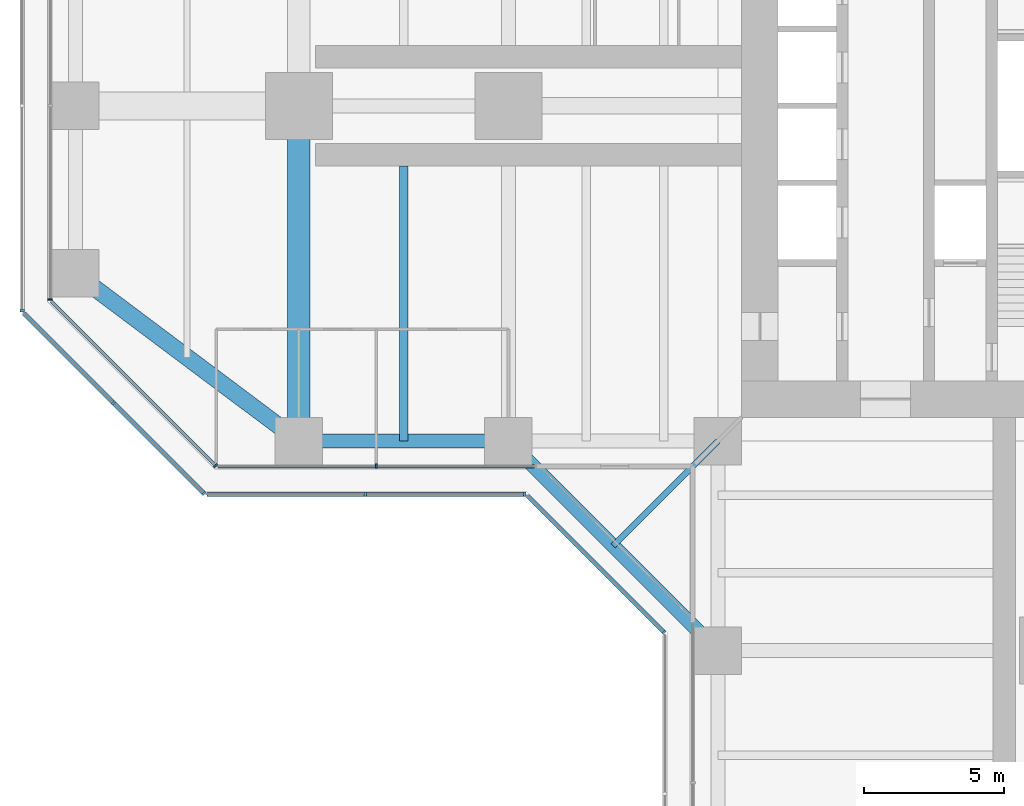
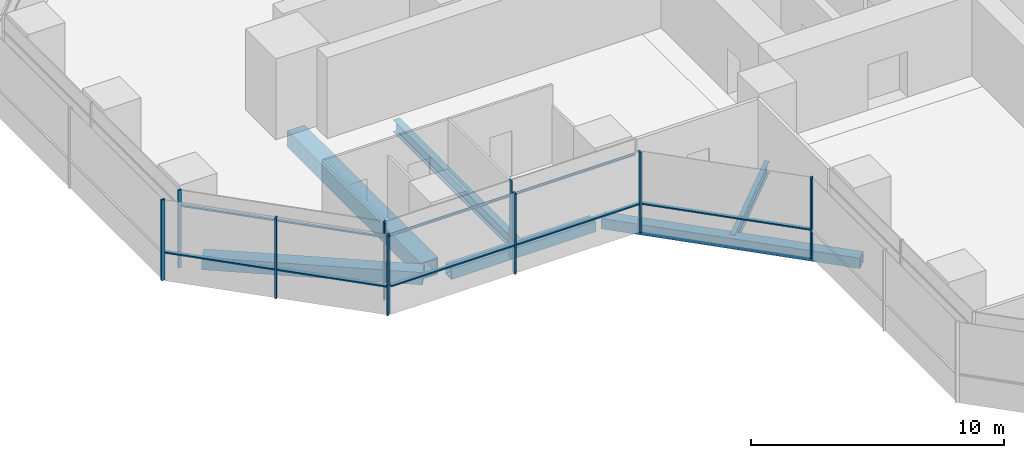
# One storey, part 3 of 22: 17 members, 6 beams, 7 elements without a shape of their own.
"""IFC4 building model written with IfcOpenShell, lengths in metres."""

import ifcopenshell
import ifcopenshell.guid

model = None  # the IFC model being written
_history = None  # IfcOwnerHistory: only IFC2X3 demands one
_inside = {}  # id of a spatial element -> (the spatial element, [elements in it])
_under = {}  # id of a project, library or spatial element -> (it, [spatial elements below it])
_declared = {}  # id of a project -> (the project, [libraries it declares])
_typed = {}  # id of a type object -> (the type object, [elements of that type])
_made_of = {}  # id of a material, layer set ... -> (it, [elements and type objects made of it])


def new_model(schema):
    """Start an empty IFC model of exactly this schema.

    Asked for "IFC4X3", IfcOpenShell would pick the latest addendum, in which some entities
    have other attributes; the version numbers below select the first issue.
    IFC2X3 requires an IfcOwnerHistory on every rooted entity: one is made here for all.
    """
    global model, _history
    if schema == "IFC4X3":
        model = ifcopenshell.file(schema_version=(4, 3, 0, 0))
    else:
        model = ifcopenshell.file(schema=schema)
    _inside.clear()
    _under.clear()
    _declared.clear()
    _typed.clear()
    _made_of.clear()
    _history = None
    if model.schema == "IFC2X3":
        org = make("IfcOrganization", Name="unknown")
        user = make(
            "IfcPersonAndOrganization",
            ThePerson=make("IfcPerson", FamilyName="unknown"),
            TheOrganization=org,
        )
        app = make(
            "IfcApplication",
            ApplicationDeveloper=org,
            Version="unknown",
            ApplicationFullName="unknown",
            ApplicationIdentifier="unknown",
        )
        _history = make(
            "IfcOwnerHistory",
            OwningUser=user,
            OwningApplication=app,
            ChangeAction="ADDED",
            CreationDate=0,
        )
    return model


def make(cls, **values):
    """One entity of the class cls with the attributes given. An attribute that is None is left unset."""
    return model.create_entity(
        cls, **{name: value for name, value in values.items() if value is not None}
    )


def rooted(cls, **values):
    """An entity with a GlobalId (a new one), such as an element, a storey or a relation."""
    return make(cls, GlobalId=ifcopenshell.guid.new(), OwnerHistory=_history, **values)


def si_unit(unit_type, name, prefix=None):
    """IfcSIUnit, for example si_unit("LENGTHUNIT", "METRE", prefix="MILLI")."""
    return make("IfcSIUnit", UnitType=unit_type, Prefix=prefix, Name=name)


def assignment(units):
    """IfcUnitAssignment: the units of a project."""
    return None if units is None else make("IfcUnitAssignment", Units=units)


def point(xyz):
    """IfcCartesianPoint."""
    return None if xyz is None else make("IfcCartesianPoint", Coordinates=xyz)


def direction(xyz):
    """IfcDirection."""
    return None if xyz is None else make("IfcDirection", DirectionRatios=xyz)


def frame(location, z_axis=None, x_axis=None):
    """IfcAxis2Placement3D, a coordinate frame: its origin and axes. An axis left out is left unset."""
    return make(
        "IfcAxis2Placement3D",
        Location=point(location),
        Axis=direction(z_axis),
        RefDirection=direction(x_axis),
    )


def frame_2d(location, x_axis=None):
    """IfcAxis2Placement2D, a coordinate frame in the plane: its origin and x axis."""
    return make(
        "IfcAxis2Placement2D", Location=point(location), RefDirection=direction(x_axis)
    )


def origin():
    """The frame at (0, 0, 0) with its axes left unset."""
    return frame((0.0, 0.0, 0.0))


def origin_2d():
    """The frame at (0, 0) in the plane with its x axis left unset."""
    return frame_2d((0.0, 0.0))


def place(relative_to, where):
    """IfcLocalPlacement: puts the frame where relative to a parent placement (None: the world)."""
    return make(
        "IfcLocalPlacement", PlacementRelTo=relative_to, RelativePlacement=where
    )


def context(
    kind, dimensions, precision=None, world=None, true_north=None, identifier=None
):
    """IfcGeometricRepresentationContext, for example the 3D "Model" context."""
    return make(
        "IfcGeometricRepresentationContext",
        ContextIdentifier=identifier,
        ContextType=kind,
        CoordinateSpaceDimension=dimensions,
        Precision=precision,
        WorldCoordinateSystem=world,
        TrueNorth=true_north,
    )


def subcontext(parent, identifier, kind, view, scale=None):
    """IfcGeometricRepresentationSubContext, for example "Body" below "Model"."""
    return make(
        "IfcGeometricRepresentationSubContext",
        ContextIdentifier=identifier,
        ContextType=kind,
        ParentContext=parent,
        TargetScale=scale,
        TargetView=view,
    )


def project(units=None, contexts=None):
    """IfcProject with its units and contexts."""
    return rooted(
        "IfcProject",
        Name="project",
        RepresentationContexts=contexts,
        UnitsInContext=assignment(units),
    )


def spatial(cls, under=None, at=None, **own):
    """A site, building, storey or space (cls), placed at a placement, below another one or the project."""
    s = rooted(cls, ObjectPlacement=at, **own)
    if under is not None:
        _under.setdefault(under.id(), (under, []))[1].append(s)
    return s


def profile(cls, at=None, kind="AREA", **sizes):
    """A parametric profile (cls). Its sizes go by their IFC names, for example OverallWidth=200.0."""
    return make(cls, ProfileType=kind, Position=at, **sizes)


def rectangle(**sizes):
    """IfcRectangleProfileDef."""
    return profile("IfcRectangleProfileDef", **sizes)


def hollow_rectangle(**sizes):
    """IfcRectangleHollowProfileDef."""
    return profile("IfcRectangleHollowProfileDef", **sizes)


def i_section(**sizes):
    """IfcIShapeProfileDef."""
    return profile("IfcIShapeProfileDef", **sizes)


def extrude(swept, where, along, depth):
    """IfcExtrudedAreaSolid: the profile swept, set in the frame where, extruded along a direction by depth."""
    return make(
        "IfcExtrudedAreaSolid",
        SweptArea=swept,
        Position=where,
        ExtrudedDirection=direction(along),
        Depth=depth,
    )


def shape(context_of_items, identifier, shape_type, items):
    """IfcShapeRepresentation: the items that make up one representation, for example the "Body"."""
    return make(
        "IfcShapeRepresentation",
        ContextOfItems=context_of_items,
        RepresentationIdentifier=identifier,
        RepresentationType=shape_type,
        Items=items,
    )


def material(Name=None, Category=None):
    """IfcMaterial."""
    return make("IfcMaterial", Name=Name, Category=Category)


def material_profile(
    of_material, cross_section, Name=None, Category=None, Priority=None
):
    """IfcMaterialProfile: a cross section and its material."""
    return make(
        "IfcMaterialProfile",
        Name=Name,
        Material=of_material,
        Profile=cross_section,
        Priority=Priority,
        Category=Category,
    )


def profile_set(profiles, Name=None, composite=None):
    """IfcMaterialProfileSet."""
    return make(
        "IfcMaterialProfileSet",
        Name=Name,
        MaterialProfiles=profiles,
        CompositeProfile=composite,
    )


def made_of(thing, what):
    """Note that an element or type object is made of a material, layer set ...; save() writes the relation."""
    if what is not None:
        _made_of.setdefault(what.id(), (what, []))[1].append(thing)
    return thing


def type_object(cls, material=None, **own):
    """A type object (cls), such as IfcWallType, which elements share."""
    return made_of(rooted(cls, **own), material)


def element(
    cls,
    number,
    at=None,
    inside=None,
    cuts=None,
    type_object=None,
    material=None,
    context=None,
    identifier="Body",
    shape_type=None,
    held_by="IfcProductDefinitionShape",
    body=None,
    shapes=None,
    **own,
):
    """One element of the class cls, such as IfcWall. Its Tag is "e" and its number.

    at: its placement. inside: the storey or other place that contains it. cuts: it is an
    opening in that element (IfcRelVoidsElement). A single representation is given by context,
    identifier, shape_type and body (its items); several are given by shapes. held_by: the class
    of the entity that holds the representations. save() writes the other relations.
    """
    e = rooted(cls, Tag="e%d" % number, ObjectPlacement=at, **own)
    if body is not None:
        shapes = [shape(context, identifier, shape_type, body)]
    if shapes is not None:
        e.Representation = make(held_by, Representations=shapes)
    if inside is not None:
        _inside.setdefault(inside.id(), (inside, []))[1].append(e)
    if cuts is not None:
        rooted(
            "IfcRelVoidsElement", RelatingBuildingElement=cuts, RelatedOpeningElement=e
        )
    if type_object is not None:
        _typed.setdefault(type_object.id(), (type_object, []))[1].append(e)
    return made_of(e, material)


def aggregate(whole, parts):
    """IfcRelAggregates: a whole, such as a stair, and the parts it consists of."""
    return rooted("IfcRelAggregates", RelatingObject=whole, RelatedObjects=parts)


def save(model, path):
    """Write the relations noted so far, then the file.

    IfcRelAggregates (storeys below a building ...), IfcRelContainedInSpatialStructure (elements
    in a storey), IfcRelDefinesByType, IfcRelAssociatesMaterial and IfcRelDeclares: one each for
    every whole, place, type object, material and project.
    """
    for whole, parts in _under.values():
        aggregate(whole, parts)
    for where, things in _inside.values():
        rooted(
            "IfcRelContainedInSpatialStructure",
            RelatedElements=things,
            RelatingStructure=where,
        )
    for kind, things in _typed.values():
        rooted("IfcRelDefinesByType", RelatedObjects=things, RelatingType=kind)
    for what, things in _made_of.values():
        rooted("IfcRelAssociatesMaterial", RelatedObjects=things, RelatingMaterial=what)
    for by, libraries in _declared.values():
        rooted("IfcRelDeclares", RelatingContext=by, RelatedDefinitions=libraries)
    model.write(path)


model = new_model("IFC4")

# Units and contexts
model_context = context("Model", 3, precision=1e-05, world=origin(), true_north=direction((0.0, 1.0)))
body_context = subcontext(model_context, "Body", "Model", "MODEL_VIEW")
ifc_project = project(units=[si_unit("LENGTHUNIT", "METRE"), si_unit("AREAUNIT", "SQUARE_METRE"), si_unit("VOLUMEUNIT", "CUBIC_METRE"), si_unit("PLANEANGLEUNIT", "RADIAN"), si_unit("MASSUNIT", "GRAM", prefix="KILO")], contexts=[model_context])

# Site, building, storey
site_placement = place(None, origin())
site = spatial("IfcSite", under=ifc_project, at=site_placement, CompositionType="ELEMENT")
building_placement = place(site_placement, origin())
building = spatial("IfcBuilding", under=site, at=building_placement, Name="Mizan Broadcast Tower", CompositionType="ELEMENT")
storey_placement = place(building_placement, frame((0.0, 0.0, 70.800048828125)))
storey = spatial("IfcBuildingStorey", under=building, at=storey_placement, Name="L14", CompositionType="ELEMENT", Elevation=70.800048828125)

# Beams
ifc_material_1 = material(Name="Steel S355", Category="steel")
ifc_material_profile_1 = material_profile(ifc_material_1, hollow_rectangle(XDim=0.5, YDim=0.5, WallThickness=0.030029296875, at=origin_2d()), Name="BOX 500x500x30")
ifc_profile_set_1 = profile_set([ifc_material_profile_1], Name="Steel S355")
beam_type_1 = type_object("IfcBeamType", Name="EDGE BEAM BOX 500x500x30", PredefinedType="SPANDREL", material=ifc_profile_set_1)
beam_1_placement = place(storey_placement, frame((-19.949951171875, -12.0, -0.380126953125), z_axis=(-1.0, 0.0, 0.0), x_axis=(0.0, -1.0, 0.0)))
element("IfcBeam", 1, at=beam_1_placement, inside=storey, type_object=beam_type_1, Name="Edge beam BOX 500x500x30 L14 west arm", PredefinedType="SPANDREL", context=body_context, shape_type="SweptSolid", body=[
    extrude(hollow_rectangle(XDim=0.5, YDim=0.5, WallThickness=0.030029296875, at=origin_2d()), origin(), (0.0, 0.0, 1.0), 6.60009765625),
])
beam_2_placement = place(storey_placement, frame((-19.5, -12.0, -0.380126953125), z_axis=(0.707106781187, -0.707106781187, 0.0), x_axis=(0.707106781187, 0.707106781187, 0.0)))
element("IfcBeam", 2, at=beam_2_placement, inside=storey, type_object=beam_type_1, Name="Winter garden edge beam L14 W", PredefinedType="SPANDREL", context=body_context, shape_type="SweptSolid", body=[
    extrude(hollow_rectangle(XDim=0.5, YDim=0.5, WallThickness=0.030029296875, at=origin_2d()), origin(), (0.0, 0.0, 1.0), 10.606689453125),
])
ifc_material_2 = material(Name="Steel S355", Category="steel")
ifc_material_profile_2 = material_profile(ifc_material_2, hollow_rectangle(XDim=0.60009765625, YDim=0.60009765625, WallThickness=0.030029296875, at=origin_2d()), Name="BOX 600x600x30")
ifc_profile_set_2 = profile_set([ifc_material_profile_2], Name="Steel S355")
beam_type_2 = type_object("IfcBeamType", Name="EDGE BEAM BOX 600x600x30", PredefinedType="SPANDREL", material=ifc_profile_set_2)
beam_3_placement = place(storey_placement, frame((-27.47998046875, -11.639892578125, -0.429931640625), z_axis=(-0.800013316712, 0.599982243973, 0.0), x_axis=(-0.599982243973, -0.800013316712, 0.0)))
element("IfcBeam", 3, at=beam_3_placement, inside=storey, type_object=beam_type_2, Name="Edge beam BOX 600x600x30 L14 west arm", PredefinedType="SPANDREL", context=body_context, shape_type="SweptSolid", body=[
    extrude(hollow_rectangle(XDim=0.60009765625, YDim=0.60009765625, WallThickness=0.030029296875, at=origin_2d()), origin(), (0.0, 0.0, 1.0), 8.7998046875),
])
ifc_material_3 = material(Name="Steel S460", Category="steel")
ifc_material_profile_3 = material_profile(ifc_material_3, hollow_rectangle(XDim=0.800048828125, YDim=0.800048828125, WallThickness=0.050048828125, at=origin_2d()), Name="BOX 800x800x50")
ifc_profile_set_3 = profile_set([ifc_material_profile_3], Name="Steel S460")
beam_type_3 = type_object("IfcBeamType", Name="GIRDER BOX 800x800x50", PredefinedType="BEAM", material=ifc_profile_set_3)
beam_4_placement = place(storey_placement, frame((-27.0, -11.280029296875, -0.530029296875), z_axis=(0.0, 1.0, 0.0), x_axis=(-1.0, 0.0, 0.0)))
element("IfcBeam", 4, at=beam_4_placement, inside=storey, type_object=beam_type_3, Name="Girder BOX 800x800x50 L14 west arm", PredefinedType="BEAM", context=body_context, shape_type="SweptSolid", body=[
    extrude(hollow_rectangle(XDim=0.800048828125, YDim=0.800048828125, WallThickness=0.050048828125, at=origin_2d()), origin(), (0.0, 0.0, 1.0), 10.56005859375),
])

# Curtain wall, member
ifc_material_4 = material(Name="Aluminium framed glazing", Category="aluminium")
curtain_wall_type_1 = type_object("IfcCurtainWallType", Name="INNER SKIN LOW ZONE", PredefinedType="USERDEFINED", material=ifc_material_4)
curtain_wall_1_placement = place(storey_placement, origin())
curtain_wall_1 = element("IfcCurtainWall", 5, at=curtain_wall_1_placement, inside=storey, type_object=curtain_wall_type_1, Name="Inner skin low zone L14 W end", ObjectType="INNER SKIN LOW ZONE", PredefinedType="USERDEFINED")
ifc_material_5 = material(Name="Aluminium, pale anodised", Category="aluminium")
ifc_material_profile_4 = material_profile(ifc_material_5, rectangle(XDim=0.159912109375, YDim=0.06005859375, at=origin_2d()), Name="MULLION 160x60")
ifc_profile_set_4 = profile_set([ifc_material_profile_4], Name="Aluminium, pale anodised")
member_type_1 = type_object("IfcMemberType", Name="INNER SKIN MULLION 60x160", PredefinedType="MULLION", material=ifc_profile_set_4)
member_1_placement = place(storey_placement, frame((-35.89990234375, -6.928466796875, 0.0), z_axis=(0.0, 0.0, 1.0), x_axis=(1.0, 0.0, 0.0)))
member_1 = element("IfcMember", 6, at=member_1_placement, type_object=member_type_1, Name="Inner skin low zone L14 W end mullion 3", PredefinedType="MULLION", context=body_context, shape_type="SweptSolid", body=[
    extrude(rectangle(XDim=0.159912109375, YDim=0.06005859375, at=origin_2d()), origin(), (0.0, 0.0, 1.0), 3.77001953125),
])
aggregate(curtain_wall_1, [member_1])

curtain_wall_2_placement = place(storey_placement, origin())
curtain_wall_2 = element("IfcCurtainWall", 7, at=curtain_wall_2_placement, inside=storey, type_object=curtain_wall_type_1, Name="Inner skin low zone L14 W chamfer", ObjectType="INNER SKIN LOW ZONE", PredefinedType="USERDEFINED")
member_2_placement = place(storey_placement, frame((-29.979736328125, -12.87890625, 0.0), z_axis=(0.0, 0.0, 1.0), x_axis=(0.707106781187, 0.707106781187, 0.0)))
member_2 = element("IfcMember", 8, at=member_2_placement, type_object=member_type_1, Name="Inner skin low zone L14 W chamfer mullion 2", PredefinedType="MULLION", context=body_context, shape_type="SweptSolid", body=[
    extrude(rectangle(XDim=0.159912109375, YDim=0.06005859375, at=origin_2d()), origin(), (0.0, 0.0, 1.0), 3.77001953125),
])

curtain_wall_3_placement = place(storey_placement, origin())
curtain_wall_3 = element("IfcCurtainWall", 9, at=curtain_wall_3_placement, inside=storey, type_object=curtain_wall_type_1, Name="Inner skin low zone L14 W side", ObjectType="INNER SKIN LOW ZONE", PredefinedType="USERDEFINED")
member_3_placement = place(storey_placement, frame((-24.229248046875, -12.89990234375, 0.0), z_axis=(0.0, 0.0, 1.0), x_axis=(0.0, 1.0, 0.0)))
member_3 = element("IfcMember", 10, at=member_3_placement, type_object=member_type_1, Name="Inner skin low zone L14 W side mullion 2", PredefinedType="MULLION", context=body_context, shape_type="SweptSolid", body=[
    extrude(rectangle(XDim=0.159912109375, YDim=0.06005859375, at=origin_2d()), origin(), (0.0, 0.0, 1.0), 3.77001953125),
])

# Member
ifc_material_6 = material(Name="Aluminium, pale anodised", Category="aluminium")
ifc_material_profile_5 = material_profile(ifc_material_6, rectangle(XDim=0.1201171875, YDim=0.06005859375, at=origin_2d()), Name="TRANSOM 120x60")
ifc_profile_set_5 = profile_set([ifc_material_profile_5], Name="Aluminium, pale anodised")
member_type_2 = type_object("IfcMemberType", Name="INNER SKIN TRANSOM 60x120", PredefinedType="USERDEFINED", material=ifc_profile_set_5)
member_4_placement = place(storey_placement, frame((-35.857666015625, -7.0009765625, 3.030029296875), z_axis=(0.707106781187, -0.707106781187, 0.0), x_axis=(0.707106781187, 0.707106781187, 0.0)))
member_4 = element("IfcMember", 11, at=member_4_placement, type_object=member_type_2, Name="Inner skin low zone L14 W chamfer transom 1.1", ObjectType="TRANSOM", PredefinedType="USERDEFINED", context=body_context, shape_type="SweptSolid", body=[
    extrude(rectangle(XDim=0.1201171875, YDim=0.06005859375, at=origin_2d()), origin(), (0.0, 0.0, 1.0), 8.28271484375),
])

aggregate(curtain_wall_2, [member_2, member_4])

member_5_placement = place(storey_placement, frame((-29.898681640625, -12.89990234375, 3.030029296875), z_axis=(1.0, 0.0, 0.0), x_axis=(0.0, 1.0, 0.0)))
member_5 = element("IfcMember", 12, at=member_5_placement, type_object=member_type_2, Name="Inner skin low zone L14 W side transom 1.1", ObjectType="TRANSOM", PredefinedType="USERDEFINED", context=body_context, shape_type="SweptSolid", body=[
    extrude(rectangle(XDim=0.1201171875, YDim=0.06005859375, at=origin_2d()), origin(), (0.0, 0.0, 1.0), 5.639404296875),
])

member_6_placement = place(storey_placement, frame((-24.19921875, -12.89990234375, 3.030029296875), z_axis=(1.0, 0.0, 0.0), x_axis=(0.0, 1.0, 0.0)))
member_6 = element("IfcMember", 13, at=member_6_placement, type_object=member_type_2, Name="Inner skin low zone L14 W side transom 2.1", ObjectType="TRANSOM", PredefinedType="USERDEFINED", context=body_context, shape_type="SweptSolid", body=[
    extrude(rectangle(XDim=0.1201171875, YDim=0.06005859375, at=origin_2d()), origin(), (0.0, 0.0, 1.0), 5.63916015625),
])

aggregate(curtain_wall_3, [member_3, member_5, member_6])

# Curtain wall, member
ifc_material_7 = material(Name="Aluminium framed glazing", Category="aluminium")
curtain_wall_type_2 = type_object("IfcCurtainWallType", Name="OUTER SKIN", PredefinedType="USERDEFINED", material=ifc_material_7)
curtain_wall_4_placement = place(storey_placement, origin())
curtain_wall_4 = element("IfcCurtainWall", 14, at=curtain_wall_4_placement, inside=storey, type_object=curtain_wall_type_2, Name="Outer skin L14 W end", ObjectType="OUTER SKIN", PredefinedType="USERDEFINED")
ifc_material_8 = material(Name="Aluminium, pale anodised", Category="aluminium")
ifc_material_profile_6 = material_profile(ifc_material_8, rectangle(XDim=0.159912109375, YDim=0.080078125, at=origin_2d()), Name="MULLION 160x80")
ifc_profile_set_6 = profile_set([ifc_material_profile_6], Name="Aluminium, pale anodised")
member_type_3 = type_object("IfcMemberType", Name="OUTER SKIN MULLION 80x160", PredefinedType="MULLION", material=ifc_profile_set_6)
member_7_placement = place(storey_placement, frame((-36.89990234375, -7.332763671875, 0.0), z_axis=(0.0, 0.0, 1.0), x_axis=(1.0, 0.0, 0.0)))
member_7 = element("IfcMember", 15, at=member_7_placement, type_object=member_type_3, Name="Outer skin L14 W end mullion 3", PredefinedType="MULLION", context=body_context, shape_type="SweptSolid", body=[
    extrude(rectangle(XDim=0.159912109375, YDim=0.080078125, at=origin_2d()), origin(), (0.0, 0.0, 1.0), 3.89990234375),
])
aggregate(curtain_wall_4, [member_7])

# Curtain wall, members
curtain_wall_5_placement = place(storey_placement, origin())
curtain_wall_5 = element("IfcCurtainWall", 16, at=curtain_wall_5_placement, inside=storey, type_object=curtain_wall_type_2, Name="Outer skin L14 W chamfer", ObjectType="OUTER SKIN", PredefinedType="USERDEFINED")
member_8_placement = place(storey_placement, frame((-33.636474609375, -10.636474609375, 0.0), z_axis=(0.0, 0.0, 1.0), x_axis=(0.707106781187, 0.707106781187, 0.0)))
member_8 = element("IfcMember", 17, at=member_8_placement, type_object=member_type_3, Name="Outer skin L14 W chamfer mullion 2", PredefinedType="MULLION", context=body_context, shape_type="SweptSolid", body=[
    extrude(rectangle(XDim=0.159912109375, YDim=0.080078125, at=origin_2d()), origin(), (0.0, 0.0, 1.0), 3.89990234375),
])
member_9_placement = place(storey_placement, frame((-30.401123046875, -13.871826171875, 0.0), z_axis=(0.0, 0.0, 1.0), x_axis=(0.707106781187, 0.707106781187, 0.0)))
member_9 = element("IfcMember", 18, at=member_9_placement, type_object=member_type_3, Name="Outer skin L14 W chamfer mullion 3", PredefinedType="MULLION", context=body_context, shape_type="SweptSolid", body=[
    extrude(rectangle(XDim=0.159912109375, YDim=0.080078125, at=origin_2d()), origin(), (0.0, 0.0, 1.0), 3.89990234375),
])

curtain_wall_6_placement = place(storey_placement, origin())
curtain_wall_6 = element("IfcCurtainWall", 19, at=curtain_wall_6_placement, inside=storey, type_object=curtain_wall_type_2, Name="Outer skin L14 W side", ObjectType="OUTER SKIN", PredefinedType="USERDEFINED")
member_10_placement = place(storey_placement, frame((-24.622802734375, -13.89990234375, 0.0), z_axis=(0.0, 0.0, 1.0), x_axis=(0.0, 1.0, 0.0)))
member_10 = element("IfcMember", 20, at=member_10_placement, type_object=member_type_3, Name="Outer skin L14 W side mullion 2", PredefinedType="MULLION", context=body_context, shape_type="SweptSolid", body=[
    extrude(rectangle(XDim=0.159912109375, YDim=0.080078125, at=origin_2d()), origin(), (0.0, 0.0, 1.0), 3.89990234375),
])
member_11_placement = place(storey_placement, frame((-18.912841796875, -13.89990234375, 0.0), z_axis=(0.0, 0.0, 1.0), x_axis=(0.0, 1.0, 0.0)))
member_11 = element("IfcMember", 21, at=member_11_placement, type_object=member_type_3, Name="Outer skin L14 W side mullion 3", PredefinedType="MULLION", context=body_context, shape_type="SweptSolid", body=[
    extrude(rectangle(XDim=0.159912109375, YDim=0.080078125, at=origin_2d()), origin(), (0.0, 0.0, 1.0), 3.89990234375),
])

# Curtain wall, member
curtain_wall_7_placement = place(storey_placement, origin())
curtain_wall_7 = element("IfcCurtainWall", 22, at=curtain_wall_7_placement, inside=storey, type_object=curtain_wall_type_2, Name="Outer skin L14 W chamfer", ObjectType="OUTER SKIN", PredefinedType="USERDEFINED")
member_12_placement = place(storey_placement, frame((-13.92822265625, -18.844482421875, 0.0), z_axis=(0.0, 0.0, 1.0), x_axis=(0.707106781187, 0.707106781187, 0.0)))
member_12 = element("IfcMember", 23, at=member_12_placement, type_object=member_type_3, Name="Outer skin L14 W chamfer mullion 2", PredefinedType="MULLION", context=body_context, shape_type="SweptSolid", body=[
    extrude(rectangle(XDim=0.159912109375, YDim=0.080078125, at=origin_2d()), origin(), (0.0, 0.0, 1.0), 3.89990234375),
])

# Member
ifc_material_9 = material(Name="Aluminium, pale anodised", Category="aluminium")
ifc_material_profile_7 = material_profile(ifc_material_9, rectangle(XDim=0.159912109375, YDim=0.06005859375, at=origin_2d()), Name="TRANSOM 160x60")
ifc_profile_set_7 = profile_set([ifc_material_profile_7], Name="Aluminium, pale anodised")
member_type_4 = type_object("IfcMemberType", Name="OUTER SKIN TRANSOM 60x160", PredefinedType="USERDEFINED", material=ifc_profile_set_7)
member_13_placement = place(storey_placement, frame((-36.843505859375, -7.429443359375, 1.39990234375), z_axis=(0.707106781187, -0.707106781187, 0.0), x_axis=(0.707106781187, 0.707106781187, 0.0)))
member_13 = element("IfcMember", 24, at=member_13_placement, type_object=member_type_4, Name="Outer skin L14 W chamfer transom 1.1", ObjectType="TRANSOM", PredefinedType="USERDEFINED", context=body_context, shape_type="SweptSolid", body=[
    extrude(rectangle(XDim=0.159912109375, YDim=0.06005859375, at=origin_2d()), origin(), (0.0, 0.0, 1.0), 4.495361328125),
])

member_14_placement = place(storey_placement, frame((-33.608154296875, -10.664794921875, 1.39990234375), z_axis=(0.707106781187, -0.707106781187, 0.0), x_axis=(0.707106781187, 0.707106781187, 0.0)))
member_14 = element("IfcMember", 25, at=member_14_placement, type_object=member_type_4, Name="Outer skin L14 W chamfer transom 2.1", ObjectType="TRANSOM", PredefinedType="USERDEFINED", context=body_context, shape_type="SweptSolid", body=[
    extrude(rectangle(XDim=0.159912109375, YDim=0.06005859375, at=origin_2d()), origin(), (0.0, 0.0, 1.0), 4.495361328125),
])

aggregate(curtain_wall_5, [member_8, member_9, member_13, member_14])

member_15_placement = place(storey_placement, frame((-30.292724609375, -13.89990234375, 1.39990234375), z_axis=(1.0, 0.0, 0.0), x_axis=(0.0, 1.0, 0.0)))
member_15 = element("IfcMember", 26, at=member_15_placement, type_object=member_type_4, Name="Outer skin L14 W side transom 1.1", ObjectType="TRANSOM", PredefinedType="USERDEFINED", context=body_context, shape_type="SweptSolid", body=[
    extrude(rectangle(XDim=0.159912109375, YDim=0.06005859375, at=origin_2d()), origin(), (0.0, 0.0, 1.0), 5.6298828125),
])

member_16_placement = place(storey_placement, frame((-24.582763671875, -13.89990234375, 1.39990234375), z_axis=(1.0, 0.0, 0.0), x_axis=(0.0, 1.0, 0.0)))
member_16 = element("IfcMember", 27, at=member_16_placement, type_object=member_type_4, Name="Outer skin L14 W side transom 2.1", ObjectType="TRANSOM", PredefinedType="USERDEFINED", context=body_context, shape_type="SweptSolid", body=[
    extrude(rectangle(XDim=0.159912109375, YDim=0.06005859375, at=origin_2d()), origin(), (0.0, 0.0, 1.0), 5.6298828125),
])

aggregate(curtain_wall_6, [member_10, member_11, member_15, member_16])

member_17_placement = place(storey_placement, frame((-18.816162109375, -13.95654296875, 1.39990234375), z_axis=(0.707106781187, -0.707106781187, 0.0), x_axis=(0.707106781187, 0.707106781187, 0.0)))
member_17 = element("IfcMember", 28, at=member_17_placement, type_object=member_type_4, Name="Outer skin L14 W chamfer transom 1.1", ObjectType="TRANSOM", PredefinedType="USERDEFINED", context=body_context, shape_type="SweptSolid", body=[
    extrude(rectangle(XDim=0.159912109375, YDim=0.06005859375, at=origin_2d()), origin(), (0.0, 0.0, 1.0), 6.87255859375),
])

aggregate(curtain_wall_7, [member_12, member_17])

# Beams
ifc_material_10 = material(Name="Steel S355", Category="steel")
ifc_material_profile_8 = material_profile(ifc_material_10, i_section(OverallWidth=0.300048828125, OverallDepth=0.590087890625, WebThickness=0.012939453125, FlangeThickness=0.02490234375, FilletRadius=0.027099609375, at=origin_2d()), Name="HEA 600")
ifc_profile_set_8 = profile_set([ifc_material_profile_8], Name="Steel S355")
beam_type_4 = type_object("IfcBeamType", Name="SECONDARY BEAM HEA 600", PredefinedType="JOIST", material=ifc_profile_set_8)
beam_5_placement = place(storey_placement, frame((-23.25, -12.0, -0.425048828125), z_axis=(0.0, 1.0, 0.0), x_axis=(-1.0, 0.0, 0.0)))
element("IfcBeam", 29, at=beam_5_placement, inside=storey, type_object=beam_type_4, Name="Secondary beam HEA 600 L14 west arm", PredefinedType="JOIST", context=body_context, shape_type="SweptSolid", body=[
    extrude(i_section(OverallWidth=0.300048828125, OverallDepth=0.590087890625, WebThickness=0.012939453125, FlangeThickness=0.02490234375, FilletRadius=0.027099609375, at=origin_2d()), origin(), (0.0, 0.0, 1.0), 9.85009765625),
])
ifc_material_11 = material(Name="Steel S355", Category="steel")
ifc_material_profile_9 = material_profile(ifc_material_11, i_section(OverallWidth=0.2099609375, OverallDepth=0.550048828125, WebThickness=0.010986328125, FlangeThickness=0.01708984375, FilletRadius=0.02392578125, at=origin_2d()), Name="IPE 550")
ifc_profile_set_9 = profile_set([ifc_material_profile_9], Name="Steel S355")
beam_type_5 = type_object("IfcBeamType", Name="SECONDARY BEAM IPE 550", PredefinedType="JOIST", material=ifc_profile_set_9)
beam_6_placement = place(storey_placement, frame((-12.0, -12.0, -0.405029296875), z_axis=(-0.707106781187, -0.707106781187, 0.0), x_axis=(0.707106781187, -0.707106781187, 0.0)))
element("IfcBeam", 30, at=beam_6_placement, inside=storey, type_object=beam_type_5, Name="Winter garden beam L14 W", PredefinedType="JOIST", context=body_context, shape_type="SweptSolid", body=[
    extrude(i_section(OverallWidth=0.2099609375, OverallDepth=0.550048828125, WebThickness=0.010986328125, FlangeThickness=0.01708984375, FilletRadius=0.02392578125, at=origin_2d()), origin(), (0.0, 0.0, 1.0), 5.30322265625),
])

save(model, "model.ifc")
